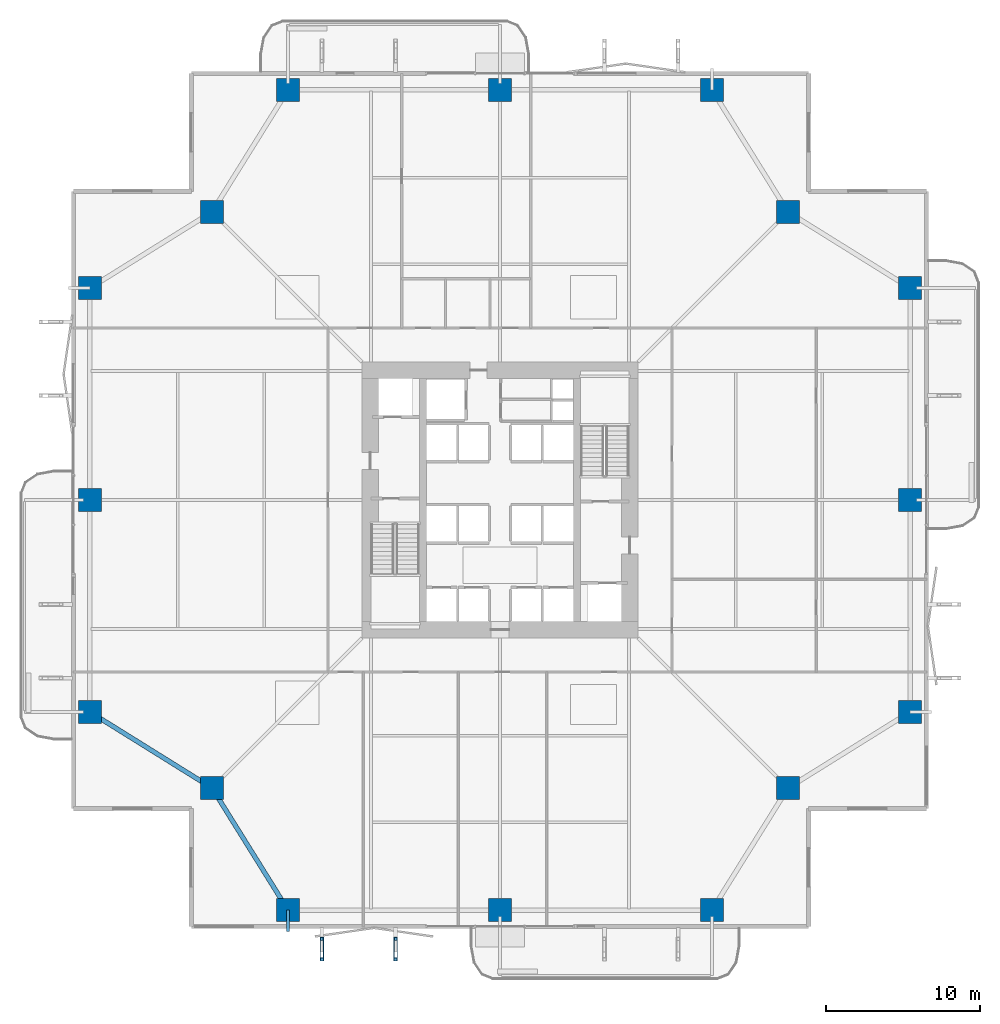
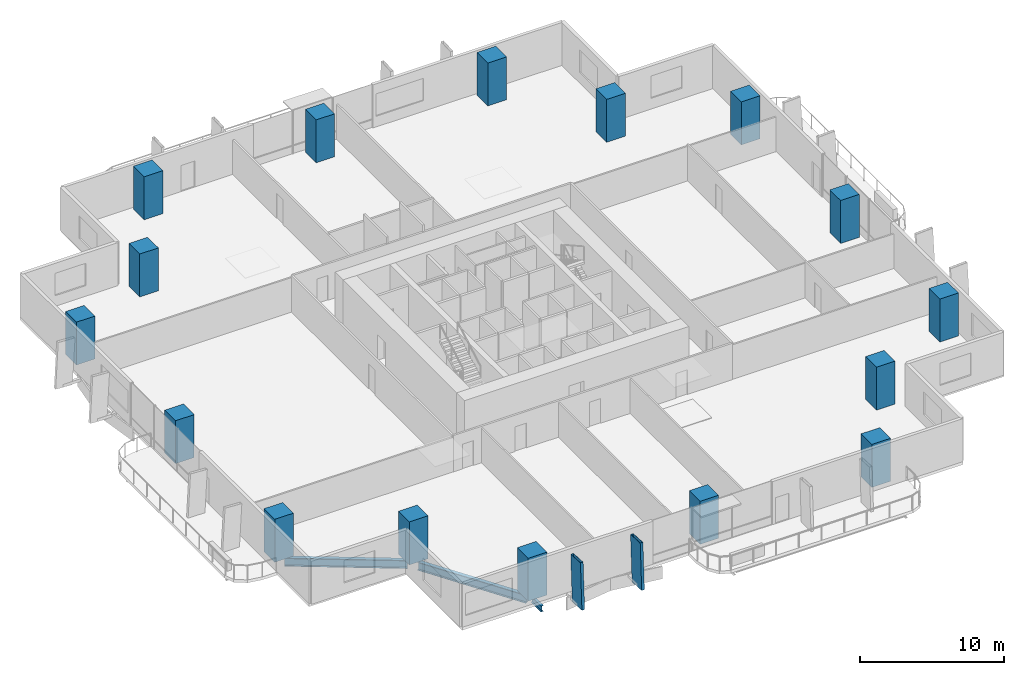
# One storey, part 1 of 24: 16 columns, 3 beams, 2 members.
"""IFC4 building model written with IfcOpenShell, lengths in metres."""

import ifcopenshell
import ifcopenshell.guid

model = None  # the IFC model being written
_history = None  # IfcOwnerHistory: only IFC2X3 demands one
_inside = {}  # id of a spatial element -> (the spatial element, [elements in it])
_under = {}  # id of a project, library or spatial element -> (it, [spatial elements below it])
_declared = {}  # id of a project -> (the project, [libraries it declares])
_typed = {}  # id of a type object -> (the type object, [elements of that type])
_made_of = {}  # id of a material, layer set ... -> (it, [elements and type objects made of it])


def new_model(schema):
    """Start an empty IFC model of exactly this schema.

    Asked for "IFC4X3", IfcOpenShell would pick the latest addendum, in which some entities
    have other attributes; the version numbers below select the first issue.
    IFC2X3 requires an IfcOwnerHistory on every rooted entity: one is made here for all.
    """
    global model, _history
    if schema == "IFC4X3":
        model = ifcopenshell.file(schema_version=(4, 3, 0, 0))
    else:
        model = ifcopenshell.file(schema=schema)
    _inside.clear()
    _under.clear()
    _declared.clear()
    _typed.clear()
    _made_of.clear()
    _history = None
    if model.schema == "IFC2X3":
        org = make("IfcOrganization", Name="unknown")
        user = make(
            "IfcPersonAndOrganization",
            ThePerson=make("IfcPerson", FamilyName="unknown"),
            TheOrganization=org,
        )
        app = make(
            "IfcApplication",
            ApplicationDeveloper=org,
            Version="unknown",
            ApplicationFullName="unknown",
            ApplicationIdentifier="unknown",
        )
        _history = make(
            "IfcOwnerHistory",
            OwningUser=user,
            OwningApplication=app,
            ChangeAction="ADDED",
            CreationDate=0,
        )
    return model


def make(cls, **values):
    """One entity of the class cls with the attributes given. An attribute that is None is left unset."""
    return model.create_entity(
        cls, **{name: value for name, value in values.items() if value is not None}
    )


def rooted(cls, **values):
    """An entity with a GlobalId (a new one), such as an element, a storey or a relation."""
    return make(cls, GlobalId=ifcopenshell.guid.new(), OwnerHistory=_history, **values)


def si_unit(unit_type, name, prefix=None):
    """IfcSIUnit, for example si_unit("LENGTHUNIT", "METRE", prefix="MILLI")."""
    return make("IfcSIUnit", UnitType=unit_type, Prefix=prefix, Name=name)


def assignment(units):
    """IfcUnitAssignment: the units of a project."""
    return None if units is None else make("IfcUnitAssignment", Units=units)


def point(xyz):
    """IfcCartesianPoint."""
    return None if xyz is None else make("IfcCartesianPoint", Coordinates=xyz)


def direction(xyz):
    """IfcDirection."""
    return None if xyz is None else make("IfcDirection", DirectionRatios=xyz)


def frame(location, z_axis=None, x_axis=None):
    """IfcAxis2Placement3D, a coordinate frame: its origin and axes. An axis left out is left unset."""
    return make(
        "IfcAxis2Placement3D",
        Location=point(location),
        Axis=direction(z_axis),
        RefDirection=direction(x_axis),
    )


def frame_2d(location, x_axis=None):
    """IfcAxis2Placement2D, a coordinate frame in the plane: its origin and x axis."""
    return make(
        "IfcAxis2Placement2D", Location=point(location), RefDirection=direction(x_axis)
    )


def origin():
    """The frame at (0, 0, 0) with its axes left unset."""
    return frame((0.0, 0.0, 0.0))


def origin_2d():
    """The frame at (0, 0) in the plane with its x axis left unset."""
    return frame_2d((0.0, 0.0))


def place(relative_to, where):
    """IfcLocalPlacement: puts the frame where relative to a parent placement (None: the world)."""
    return make(
        "IfcLocalPlacement", PlacementRelTo=relative_to, RelativePlacement=where
    )


def context(
    kind, dimensions, precision=None, world=None, true_north=None, identifier=None
):
    """IfcGeometricRepresentationContext, for example the 3D "Model" context."""
    return make(
        "IfcGeometricRepresentationContext",
        ContextIdentifier=identifier,
        ContextType=kind,
        CoordinateSpaceDimension=dimensions,
        Precision=precision,
        WorldCoordinateSystem=world,
        TrueNorth=true_north,
    )


def subcontext(parent, identifier, kind, view, scale=None):
    """IfcGeometricRepresentationSubContext, for example "Body" below "Model"."""
    return make(
        "IfcGeometricRepresentationSubContext",
        ContextIdentifier=identifier,
        ContextType=kind,
        ParentContext=parent,
        TargetScale=scale,
        TargetView=view,
    )


def project(units=None, contexts=None):
    """IfcProject with its units and contexts."""
    return rooted(
        "IfcProject",
        Name="project",
        RepresentationContexts=contexts,
        UnitsInContext=assignment(units),
    )


def spatial(cls, under=None, at=None, **own):
    """A site, building, storey or space (cls), placed at a placement, below another one or the project."""
    s = rooted(cls, ObjectPlacement=at, **own)
    if under is not None:
        _under.setdefault(under.id(), (under, []))[1].append(s)
    return s


def profile(cls, at=None, kind="AREA", **sizes):
    """A parametric profile (cls). Its sizes go by their IFC names, for example OverallWidth=200.0."""
    return make(cls, ProfileType=kind, Position=at, **sizes)


def rectangle(**sizes):
    """IfcRectangleProfileDef."""
    return profile("IfcRectangleProfileDef", **sizes)


def hollow_rectangle(**sizes):
    """IfcRectangleHollowProfileDef."""
    return profile("IfcRectangleHollowProfileDef", **sizes)


def i_section(**sizes):
    """IfcIShapeProfileDef."""
    return profile("IfcIShapeProfileDef", **sizes)


def extrude(swept, where, along, depth):
    """IfcExtrudedAreaSolid: the profile swept, set in the frame where, extruded along a direction by depth."""
    return make(
        "IfcExtrudedAreaSolid",
        SweptArea=swept,
        Position=where,
        ExtrudedDirection=direction(along),
        Depth=depth,
    )


def shape(context_of_items, identifier, shape_type, items):
    """IfcShapeRepresentation: the items that make up one representation, for example the "Body"."""
    return make(
        "IfcShapeRepresentation",
        ContextOfItems=context_of_items,
        RepresentationIdentifier=identifier,
        RepresentationType=shape_type,
        Items=items,
    )


def material(Name=None, Category=None):
    """IfcMaterial."""
    return make("IfcMaterial", Name=Name, Category=Category)


def material_profile(
    of_material, cross_section, Name=None, Category=None, Priority=None
):
    """IfcMaterialProfile: a cross section and its material."""
    return make(
        "IfcMaterialProfile",
        Name=Name,
        Material=of_material,
        Profile=cross_section,
        Priority=Priority,
        Category=Category,
    )


def profile_set(profiles, Name=None, composite=None):
    """IfcMaterialProfileSet."""
    return make(
        "IfcMaterialProfileSet",
        Name=Name,
        MaterialProfiles=profiles,
        CompositeProfile=composite,
    )


def made_of(thing, what):
    """Note that an element or type object is made of a material, layer set ...; save() writes the relation."""
    if what is not None:
        _made_of.setdefault(what.id(), (what, []))[1].append(thing)
    return thing


def type_object(cls, material=None, **own):
    """A type object (cls), such as IfcWallType, which elements share."""
    return made_of(rooted(cls, **own), material)


def element(
    cls,
    number,
    at=None,
    inside=None,
    cuts=None,
    type_object=None,
    material=None,
    context=None,
    identifier="Body",
    shape_type=None,
    held_by="IfcProductDefinitionShape",
    body=None,
    shapes=None,
    **own,
):
    """One element of the class cls, such as IfcWall. Its Tag is "e" and its number.

    at: its placement. inside: the storey or other place that contains it. cuts: it is an
    opening in that element (IfcRelVoidsElement). A single representation is given by context,
    identifier, shape_type and body (its items); several are given by shapes. held_by: the class
    of the entity that holds the representations. save() writes the other relations.
    """
    e = rooted(cls, Tag="e%d" % number, ObjectPlacement=at, **own)
    if body is not None:
        shapes = [shape(context, identifier, shape_type, body)]
    if shapes is not None:
        e.Representation = make(held_by, Representations=shapes)
    if inside is not None:
        _inside.setdefault(inside.id(), (inside, []))[1].append(e)
    if cuts is not None:
        rooted(
            "IfcRelVoidsElement", RelatingBuildingElement=cuts, RelatedOpeningElement=e
        )
    if type_object is not None:
        _typed.setdefault(type_object.id(), (type_object, []))[1].append(e)
    return made_of(e, material)


def aggregate(whole, parts):
    """IfcRelAggregates: a whole, such as a stair, and the parts it consists of."""
    return rooted("IfcRelAggregates", RelatingObject=whole, RelatedObjects=parts)


def save(model, path):
    """Write the relations noted so far, then the file.

    IfcRelAggregates (storeys below a building ...), IfcRelContainedInSpatialStructure (elements
    in a storey), IfcRelDefinesByType, IfcRelAssociatesMaterial and IfcRelDeclares: one each for
    every whole, place, type object, material and project.
    """
    for whole, parts in _under.values():
        aggregate(whole, parts)
    for where, things in _inside.values():
        rooted(
            "IfcRelContainedInSpatialStructure",
            RelatedElements=things,
            RelatingStructure=where,
        )
    for kind, things in _typed.values():
        rooted("IfcRelDefinesByType", RelatedObjects=things, RelatingType=kind)
    for what, things in _made_of.values():
        rooted("IfcRelAssociatesMaterial", RelatedObjects=things, RelatingMaterial=what)
    for by, libraries in _declared.values():
        rooted("IfcRelDeclares", RelatingContext=by, RelatedDefinitions=libraries)
    model.write(path)


model = new_model("IFC4")

# Units and contexts
model_context = context("Model", 3, precision=1e-05, world=origin(), true_north=direction((0.0, 1.0)))
body_context = subcontext(model_context, "Body", "Model", "MODEL_VIEW")
ifc_project = project(units=[si_unit("LENGTHUNIT", "METRE"), si_unit("AREAUNIT", "SQUARE_METRE"), si_unit("VOLUMEUNIT", "CUBIC_METRE"), si_unit("PLANEANGLEUNIT", "RADIAN"), si_unit("MASSUNIT", "GRAM", prefix="KILO")], contexts=[model_context])

# Site, building, storey
site_placement = place(None, origin())
site = spatial("IfcSite", under=ifc_project, at=site_placement, CompositionType="ELEMENT")
building_placement = place(site_placement, origin())
building = spatial("IfcBuilding", under=site, at=building_placement, Name="Belovzor Exchange Tower", CompositionType="ELEMENT")
storey_placement = place(building_placement, frame((0.0, 0.0, 69.0)))
storey = spatial("IfcBuildingStorey", under=building, at=storey_placement, Name="L16", CompositionType="ELEMENT", Elevation=69.0)

# Columns
ifc_material_1 = material(Name="Concrete C60/75", Category="concrete")
ifc_material_profile_1 = material_profile(ifc_material_1, rectangle(XDim=1.5, YDim=1.5, at=origin_2d()))
ifc_profile_set_1 = profile_set([ifc_material_profile_1], Name="Concrete C60/75")
column_type = type_object("IfcColumnType", Name="Reinforced Concrete Tower Column 1500x1500", PredefinedType="COLUMN", material=ifc_profile_set_1)
for number, where, z_axis, x_axis, name in (
    (1, (15.0, 2.10009765625, 0.0029296875), (0.0, 0.0, 1.0), (1.0, 0.0, 0.0), "COL-T150 Reinforced Concrete Tower Column 1500x1500"),
    (2, (28.800048828125, 2.10009765625, 0.0029296875), (0.0, 0.0, 1.0), (1.0, 0.0, 0.0), "COL-T150 Reinforced Concrete Tower Column 1500x1500"),
    (3, (42.60009765625, 2.10009765625, 0.0029296875), (0.0, 0.0, 1.0), (1.0, 0.0, 0.0), "COL-T150 Reinforced Concrete Tower Column 1500x1500"),
    (4, (55.5, 15.0, 0.0029296875), (0.0, 0.0, 1.0), (1.0, 0.0, 0.0), "COL-T150 Reinforced Concrete Tower Column 1500x1500"),
    (5, (55.5, 28.800048828125, 0.0029296875), (0.0, 0.0, 1.0), (1.0, 0.0, 0.0), "COL-T150 Reinforced Concrete Tower Column 1500x1500"),
    (6, (55.5, 42.60009765625, 0.0029296875), (0.0, 0.0, 1.0), (1.0, 0.0, 0.0), "COL-T150 Reinforced Concrete Tower Column 1500x1500"),
    (7, (42.60009765625, 55.5, 0.0029296875), (0.0, 0.0, 1.0), (1.0, 0.0, 0.0), "COL-T150 Reinforced Concrete Tower Column 1500x1500"),
    (8, (28.800048828125, 55.5, 0.0029296875), (0.0, 0.0, 1.0), (1.0, 0.0, 0.0), "COL-T150 Reinforced Concrete Tower Column 1500x1500"),
    (9, (15.0, 55.5, 0.0029296875), (0.0, 0.0, 1.0), (1.0, 0.0, 0.0), "COL-T150 Reinforced Concrete Tower Column 1500x1500"),
    (10, (2.10009765625, 42.60009765625, 0.0029296875), (0.0, 0.0, 1.0), (1.0, 0.0, 0.0), "COL-T150 Reinforced Concrete Tower Column 1500x1500"),
    (11, (2.10009765625, 28.800048828125, 0.0029296875), (0.0, 0.0, 1.0), (1.0, 0.0, 0.0), "COL-T150 Reinforced Concrete Tower Column 1500x1500"),
    (12, (2.10009765625, 15.0, 0.0029296875), (0.0, 0.0, 1.0), (1.0, 0.0, 0.0), "COL-T150 Reinforced Concrete Tower Column 1500x1500"),
    (13, (10.050048828125, 10.050048828125, 0.0029296875), (0.0, 0.0, 1.0), (1.0, 0.0, 0.0), "COL-T150 Reinforced Concrete Tower Column 1500x1500"),
    (14, (47.550048828125, 10.050048828125, 0.0029296875), (0.0, 0.0, 1.0), (1.0, 0.0, 0.0), "COL-T150 Reinforced Concrete Tower Column 1500x1500"),
    (15, (47.550048828125, 47.550048828125, 0.0029296875), (0.0, 0.0, 1.0), (1.0, 0.0, 0.0), "COL-T150 Reinforced Concrete Tower Column 1500x1500"),
    (16, (10.050048828125, 47.550048828125, 0.0029296875), (0.0, 0.0, 1.0), (1.0, 0.0, 0.0), "COL-T150 Reinforced Concrete Tower Column 1500x1500"),
):
    element("IfcColumn", number, at=place(storey_placement, frame(where, z_axis=z_axis, x_axis=x_axis)), inside=storey, type_object=column_type, Name=name, PredefinedType="COLUMN", context=body_context, shape_type="SweptSolid", body=[
        extrude(rectangle(XDim=1.5, YDim=1.5, at=origin_2d()), origin(), (0.0, 0.0, 1.0), 3.64404296875),
    ])

# Members
ifc_material_2 = material(Name="Extruded Architectural Terracotta on Steel S355 Carrier", Category="masonry")
ifc_material_profile_2 = material_profile(ifc_material_2, hollow_rectangle(XDim=0.219970703125, YDim=1.35009765625, WallThickness=0.013916015625, at=origin_2d()))
ifc_profile_set_2 = profile_set([ifc_material_profile_2], Name="Extruded Architectural Terracotta on Steel S355 Carrier")
member_type = type_object("IfcMemberType", Name="Base Arc Sweeping Terracotta Pylon Fin 1450", PredefinedType="USERDEFINED", material=ifc_profile_set_2)
for number, where, z_axis, x_axis, name in (
    (17, (17.199951171875, -0.531982421875, -0.25), (0.0, 0.052512896371, 0.998620245997), (-1.0, 0.0, 0.0), "FIN-TC145 Terracotta Facade Fin L16 S1"),
    (18, (22.0, -0.531982421875, -0.25), (0.0, 0.052512896371, 0.998620245997), (-1.0, 0.0, 0.0), "FIN-TC145 Terracotta Facade Fin L16 S2"),
):
    element("IfcMember", number, at=place(storey_placement, frame(where, z_axis=z_axis, x_axis=x_axis)), inside=storey, type_object=member_type, Name=name, ObjectType="FIN", PredefinedType="USERDEFINED", context=body_context, shape_type="SweptSolid", body=[
        extrude(hollow_rectangle(XDim=0.219970703125, YDim=1.35009765625, WallThickness=0.013916015625, at=origin_2d()), origin(), (0.0, 0.0, 1.0), 3.9052734375),
    ])

# Beams
ifc_material_3 = material(Name="Steel S355", Category="steel")
ifc_material_profile_3 = material_profile(ifc_material_3, i_section(OverallWidth=0.199951171875, OverallDepth=0.5, WebThickness=0.01025390625, FlangeThickness=0.01611328125, at=origin_2d()))
ifc_profile_set_3 = profile_set([ifc_material_profile_3], Name="Steel S355")
beam_type_1 = type_object("IfcBeamType", Name="Planted Balcony Cantilever Beam IPE 500", PredefinedType="BEAM", material=ifc_profile_set_3)
beam_placement = place(storey_placement, frame((15.0, 2.10009765625, -0.5), z_axis=(0.0, -1.0, 0.0), x_axis=(1.0, 0.0, 0.0)))
element("IfcBeam", 19, at=beam_placement, inside=storey, type_object=beam_type_1, Name="BC-500 Planted Balcony Cantilever Beam IPE 500", PredefinedType="BEAM", context=body_context, shape_type="SweptSolid", body=[
    extrude(i_section(OverallWidth=0.199951171875, OverallDepth=0.5, WebThickness=0.01025390625, FlangeThickness=0.01611328125, at=origin_2d()), origin(), (0.0, 0.0, 1.0), 1.400146484375),
])
ifc_material_4 = material(Name="Steel S355", Category="steel")
ifc_material_profile_4 = material_profile(ifc_material_4, i_section(OverallWidth=0.300048828125, OverallDepth=0.699951171875, WebThickness=0.01708984375, FlangeThickness=0.031982421875, at=origin_2d()))
ifc_profile_set_4 = profile_set([ifc_material_profile_4], Name="Steel S355")
beam_type_2 = type_object("IfcBeamType", Name="Zone 1 Primary Perimeter Girder HEB 700", PredefinedType="BEAM", material=ifc_profile_set_4)
for number, where, z_axis, x_axis, name in (
    (20, (10.26806640625, 9.699951171875, -0.60009765625), (0.528538629686, -0.848909251292, 0.0), (0.848909251292, 0.528538629686, 0.0), "FG-Z1 Zone 1 Primary Perimeter Girder HEB 700"),
    (21, (2.449951171875, 14.781982421875, -0.60009765625), (0.848909251292, -0.528538629686, 0.0), (0.528538629686, 0.848909251292, 0.0), "FG-Z1 Zone 1 Primary Perimeter Girder HEB 700"),
):
    element("IfcBeam", number, at=place(storey_placement, frame(where, z_axis=z_axis, x_axis=x_axis)), inside=storey, type_object=beam_type_2, Name=name, PredefinedType="BEAM", context=body_context, shape_type="SweptSolid", body=[
        extrude(i_section(OverallWidth=0.300048828125, OverallDepth=0.699951171875, WebThickness=0.01708984375, FlangeThickness=0.031982421875, at=origin_2d()), origin(), (0.0, 0.0, 1.0), 8.540283203125),
    ])

save(model, "model.ifc")
